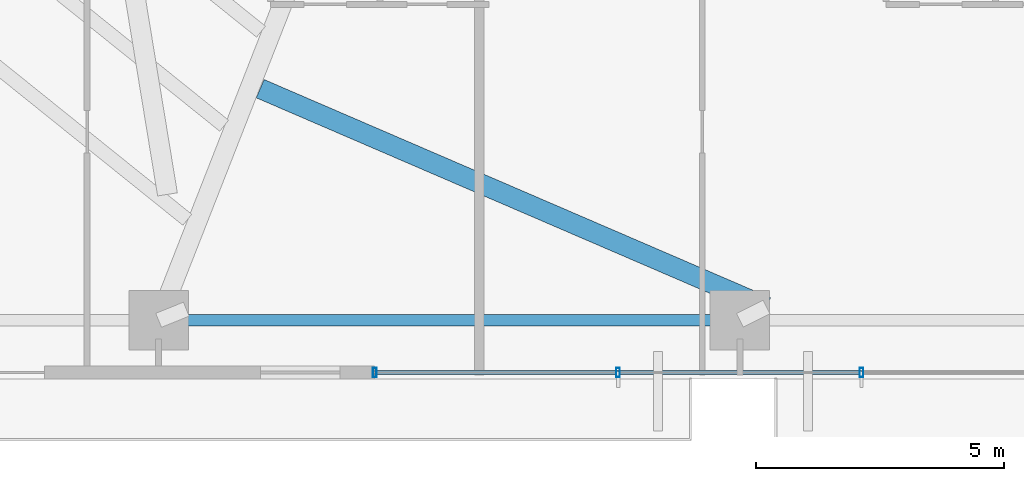
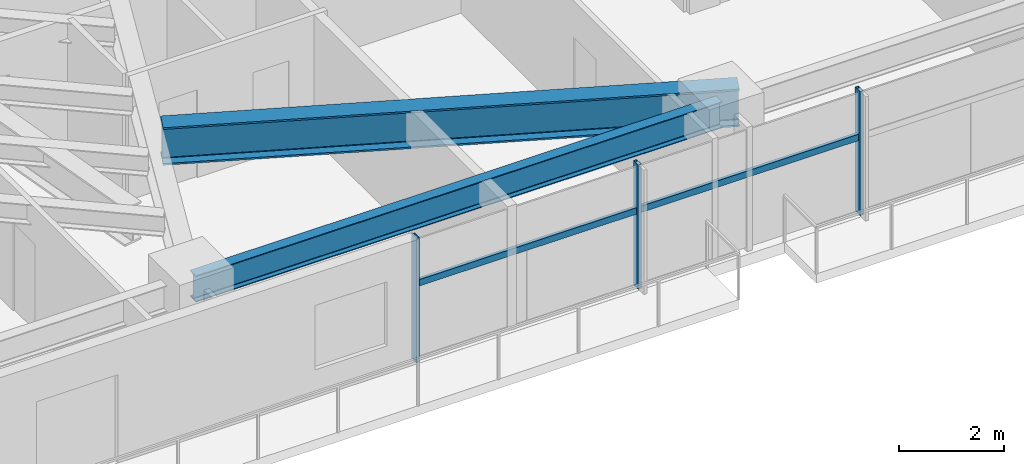
# One storey, part 6 of 25: 5 members, 2 beams, 1 element without a shape of its own.
"""IFC4 building model written with IfcOpenShell, lengths in metres."""

from ifc_helpers import new_model, si_unit, direction, frame, origin, origin_2d, place, context, subcontext, project, spatial, hollow_rectangle, i_section, extrude, source, transform, mapped, material, material_profile, profile_set, type_object, type_shapes, element, aggregate, save


model = new_model("IFC4")

# Units and contexts
model_context = context("Model", 3, precision=1e-05, world=origin(), true_north=direction((0.0, 1.0)))
body_context = subcontext(model_context, "Body", "Model", "MODEL_VIEW")
ifc_project = project(units=[si_unit("LENGTHUNIT", "METRE"), si_unit("AREAUNIT", "SQUARE_METRE"), si_unit("VOLUMEUNIT", "CUBIC_METRE"), si_unit("PLANEANGLEUNIT", "RADIAN"), si_unit("MASSUNIT", "GRAM", prefix="KILO")], contexts=[model_context])

# Site, building, storey
site_placement = place(None, origin())
site = spatial("IfcSite", under=ifc_project, at=site_placement, CompositionType="ELEMENT")
building_placement = place(site_placement, origin())
building = spatial("IfcBuilding", under=site, at=building_placement, Name="Astriad Promenade Condominiums", CompositionType="ELEMENT")
storey_placement = place(building_placement, frame((0.0, 0.0, 64.60009765625)))
storey = spatial("IfcBuildingStorey", under=building, at=storey_placement, Name="L18", CompositionType="ELEMENT", Elevation=64.60009765625)

# Beams
ifc_material_1 = material(Name="Steel ASTM A992 Grade 50", Category="steel")
ifc_material_profile_1 = material_profile(ifc_material_1, i_section(OverallWidth=0.22900390625, OverallDepth=0.612060546875, WebThickness=0.011962890625, FlangeThickness=0.01953125, FilletRadius=0.017822265625, at=origin_2d()), Name="W24X84")
ifc_profile_set_1 = profile_set([ifc_material_profile_1], Name="Steel ASTM A992 Grade 50")
beam_type_1 = type_object("IfcBeamType", Name="STEEL SPANDREL BEAM W24X84", PredefinedType="SPANDREL", material=ifc_profile_set_1)
shared_shape_1 = source(origin(), body_context, "Body", "SweptSolid", [
    extrude(i_section(OverallWidth=0.22900390625, OverallDepth=0.612060546875, WebThickness=0.011962890625, FlangeThickness=0.01953125, FilletRadius=0.017822265625, at=origin_2d()), origin(), (0.0, 0.0, 1.0), 11.6201171875),
])
type_shapes(beam_type_1, [shared_shape_1])
beam_1_placement = place(storey_placement, frame((21.139892578125, 3.8798828125, 2.593994140625), z_axis=(1.0, 0.0, 0.0), x_axis=(0.0, 1.0, 0.0)))
element("IfcBeam", 1, at=beam_1_placement, inside=storey, type_object=beam_type_1, Name="Perimeter Spandrel Beam SP-S2-L18", PredefinedType="SPANDREL", context=body_context, shape_type="MappedRepresentation", body=[
    mapped(shared_shape_1, transform((0.0, 0.0, 0.0), scale=1.0)),
])
ifc_material_profile_2 = material_profile(ifc_material_1, i_section(OverallWidth=0.4013671875, OverallDepth=0.877197265625, WebThickness=0.022216796875, FlangeThickness=0.039794921875, FilletRadius=0.02294921875, at=origin_2d()), Name="W33X263")
ifc_profile_set_2 = profile_set([ifc_material_profile_2], Name="Steel ASTM A992 Grade 50")
beam_type_2 = type_object("IfcBeamType", Name="STEEL TRANSFER CARRIER GIRDER W33X263", PredefinedType="BEAM", material=ifc_profile_set_2)
shared_shape_2 = source(origin(), body_context, "Body", "SweptSolid", [
    extrude(i_section(OverallWidth=0.4013671875, OverallDepth=0.877197265625, WebThickness=0.022216796875, FlangeThickness=0.039794921875, FilletRadius=0.02294921875, at=origin_2d()), origin(), (0.0, 0.0, 1.0), 11.09912109375),
])
type_shapes(beam_type_2, [shared_shape_2])
beam_2_placement = place(storey_placement, frame((23.144775390625, 8.543212890625, 2.461181640625), z_axis=(0.9183261542, -0.395824550165, 0.0), x_axis=(0.395824550165, 0.9183261542, 0.0)))
element("IfcBeam", 2, at=beam_2_placement, inside=storey, type_object=beam_type_2, Name="Transfer Splice Carrier TRM-SP-PC03-L18", PredefinedType="BEAM", context=body_context, shape_type="MappedRepresentation", body=[
    mapped(shared_shape_2, transform((0.0, 0.0, 0.0), scale=1.0)),
])

# Curtain wall, members
ifc_material_2 = material(Name="Anodised aluminium Black Dark Glass Unitised", Category="aluminium")
curtain_wall_type = type_object("IfcCurtainWallType", Name="CW-B1-DARK", PredefinedType="USERDEFINED", material=ifc_material_2)
curtain_wall_placement = place(storey_placement, origin())
curtain_wall = element("IfcCurtainWall", 3, at=curtain_wall_placement, inside=storey, type_object=curtain_wall_type, Name="CW-L18-S", ObjectType="UNITISED_CURTAIN_WALL", PredefinedType="USERDEFINED")
ifc_material_3 = material(Name="Anodised aluminium 6063-T6 Black", Category="aluminium")
ifc_material_profile_3 = material_profile(ifc_material_3, hollow_rectangle(XDim=0.074951171875, YDim=0.14990234375, WallThickness=0.004150390625, at=origin_2d()), Name="ALU-TRN-75X150")
ifc_profile_set_3 = profile_set([ifc_material_profile_3], Name="Anodised aluminium 6063-T6 Black")
member_type_1 = type_object("IfcMemberType", Name="TRN-ALU-TRN-75X150", PredefinedType="USERDEFINED", material=ifc_profile_set_3)
shared_shape_3 = source(origin(), body_context, "Body", "SweptSolid", [
    extrude(hollow_rectangle(XDim=0.074951171875, YDim=0.14990234375, WallThickness=0.004150390625, at=origin_2d()), origin(), (0.0, 0.0, 1.0), 4.900146484375),
])
member_1_placement = place(storey_placement, frame((30.35009765625, 2.830078125, 1.7978515625), z_axis=(-1.0, 0.0, 0.0), x_axis=(0.0, -1.0, 0.0)))
member_1 = element("IfcMember", 4, at=member_1_placement, type_object=member_type_1, Name="CW-L18-S-TRN-02-0", ObjectType="TRANSOM", PredefinedType="USERDEFINED", context=body_context, shape_type="MappedRepresentation", body=[
    mapped(shared_shape_3, transform((0.0, 0.0, 0.0), scale=1.0)),
])
shared_shape_4 = source(origin(), body_context, "Body", "SweptSolid", [
    extrude(hollow_rectangle(XDim=0.074951171875, YDim=0.14990234375, WallThickness=0.004150390625, at=origin_2d()), origin(), (0.0, 0.0, 1.0), 4.89990234375),
])
type_shapes(member_type_1, [shared_shape_3, shared_shape_4])
member_2_placement = place(storey_placement, frame((35.25, 2.830078125, 1.7978515625), z_axis=(-1.0, 0.0, 0.0), x_axis=(0.0, -1.0, 0.0)))
member_2 = element("IfcMember", 5, at=member_2_placement, type_object=member_type_1, Name="CW-L18-S-TRN-01-0", ObjectType="TRANSOM", PredefinedType="USERDEFINED", context=body_context, shape_type="MappedRepresentation", body=[
    mapped(shared_shape_4, transform((0.0, 0.0, 0.0), scale=1.0)),
])
ifc_material_profile_4 = material_profile(ifc_material_3, hollow_rectangle(XDim=0.074951171875, YDim=0.18505859375, WallThickness=0.00439453125, at=origin_2d()), Name="ALU-MUL-75X185")
ifc_profile_set_4 = profile_set([ifc_material_profile_4], Name="Anodised aluminium 6063-T6 Black")
member_type_2 = type_object("IfcMemberType", Name="MUL-ALU-MUL-75X185", PredefinedType="MULLION", material=ifc_profile_set_4)
shared_shape_5 = source(origin(), body_context, "Body", "SweptSolid", [
    extrude(hollow_rectangle(XDim=0.074951171875, YDim=0.18505859375, WallThickness=0.00439453125, at=origin_2d()), origin(), (0.0, 0.0, 1.0), 2.89990234375),
])
type_shapes(member_type_2, [shared_shape_5])
member_3_placement = place(storey_placement, frame((35.25, 2.830078125, 0.0), z_axis=(0.0, 0.0, 1.0), x_axis=(1.0, 0.0, 0.0)))
member_3 = element("IfcMember", 6, at=member_3_placement, type_object=member_type_2, Name="CW-L18-S-MUL-01", PredefinedType="MULLION", context=body_context, shape_type="MappedRepresentation", body=[
    mapped(shared_shape_5, transform((0.0, 0.0, 0.0), scale=1.0)),
])
member_4_placement = place(storey_placement, frame((30.35009765625, 2.830078125, 0.0), z_axis=(0.0, 0.0, 1.0), x_axis=(1.0, 0.0, 0.0)))
member_4 = element("IfcMember", 7, at=member_4_placement, type_object=member_type_2, Name="CW-L18-S-MUL-02", PredefinedType="MULLION", context=body_context, shape_type="MappedRepresentation", body=[
    mapped(shared_shape_5, transform((0.0, 0.0, 0.0), scale=1.0)),
])
member_5_placement = place(storey_placement, frame((25.449951171875, 2.830078125, 0.0), z_axis=(0.0, 0.0, 1.0), x_axis=(1.0, 0.0, 0.0)))
member_5 = element("IfcMember", 8, at=member_5_placement, type_object=member_type_2, Name="CW-L18-S-MUL-03", PredefinedType="MULLION", context=body_context, shape_type="MappedRepresentation", body=[
    mapped(shared_shape_5, transform((0.0, 0.0, 0.0), scale=1.0)),
])
aggregate(curtain_wall, [member_3, member_4, member_5, member_2, member_1])

save(model, "model.ifc")
